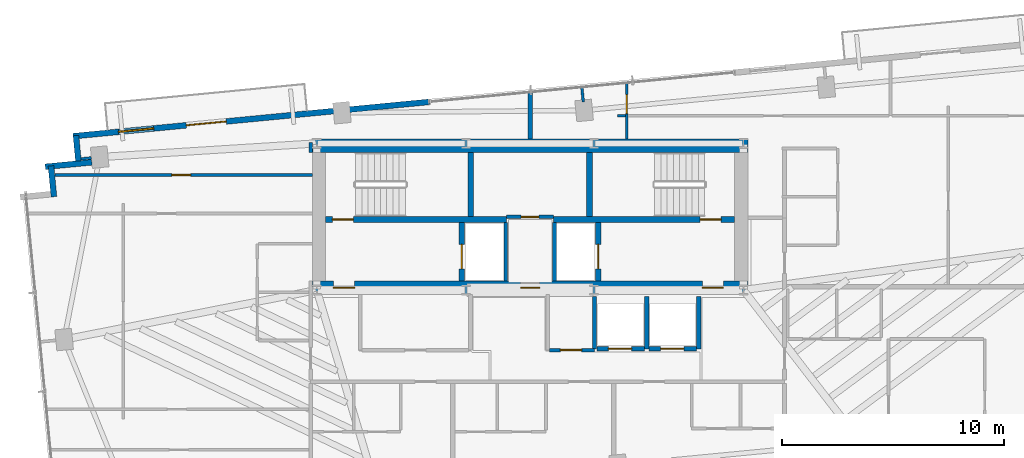
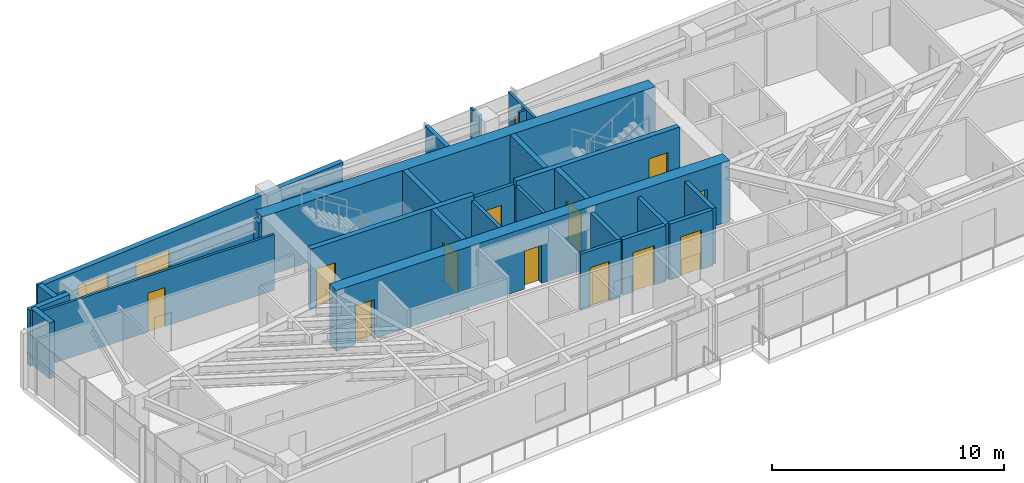
# One storey, part 14 of 18: 28 walls, 14 doors, 1 window, 15 openings.
"""IFC4 building model written with IfcOpenShell, lengths in metres."""

from ifc_helpers import new_model, si_unit, direction, frame, frame_2d, origin, place, context, subcontext, project, spatial, rectangle, extrude, source, transform, mapped, material, layer, layer_set, type_object, type_shapes, element, fill, save


model = new_model("IFC4")

# Units and contexts
model_context = context("Model", 3, precision=1e-05, world=origin(), true_north=direction((0.0, 1.0)))
body_context = subcontext(model_context, "Body", "Model", "MODEL_VIEW")
ifc_project = project(units=[si_unit("LENGTHUNIT", "METRE"), si_unit("AREAUNIT", "SQUARE_METRE"), si_unit("VOLUMEUNIT", "CUBIC_METRE"), si_unit("PLANEANGLEUNIT", "RADIAN"), si_unit("MASSUNIT", "GRAM", prefix="KILO")], contexts=[model_context])

# Site, building, storey
site_placement = place(None, origin())
site = spatial("IfcSite", under=ifc_project, at=site_placement, CompositionType="ELEMENT")
building_placement = place(site_placement, origin())
building = spatial("IfcBuilding", under=site, at=building_placement, Name="Astriad Promenade Condominiums", CompositionType="ELEMENT")
storey_placement = place(building_placement, frame((0.0, 0.0, 189.0)))
storey = spatial("IfcBuildingStorey", under=building, at=storey_placement, Name="L54", CompositionType="ELEMENT", Elevation=189.0)

# Wall, openings, doors
ifc_material_1 = material(Name="Concrete C50/60", Category="concrete")
ifc_layer_1 = layer(ifc_material_1, 0.60009765625)
ifc_layer_set_1 = layer_set([ifc_layer_1], Name="Concrete C50/60")
wall_type_1 = type_object("IfcWallType", Name="CW-SHEAR-600", PredefinedType="SHEAR", material=ifc_layer_set_1)
wall_1_placement = place(storey_placement, frame((26.199951171875, 17.5, 0.0), z_axis=(0.0, 0.0, 1.0), x_axis=(1.0, 0.0, 0.0)))
wall_1 = element("IfcWall", 1, at=wall_1_placement, inside=storey, type_object=wall_type_1, Name="CW-CORE-S-L54", PredefinedType="SHEAR", context=body_context, shape_type="SweptSolid", body=[
    extrude(rectangle(XDim=19.60009765625, YDim=0.60009765625, at=frame_2d((9.800048828125, 0.0))), origin(), (0.0, 0.0, 1.0), 3.199951171875),
])
opening_1_placement = place(wall_1_placement, frame((0.949951171875, 0.0, 0.0)))
opening_1 = element("IfcOpeningElement", 2, at=opening_1_placement, cuts=wall_1, Name="Opening FD90-ST-095", PredefinedType="OPENING", context=body_context, shape_type="SweptSolid", body=[
    extrude(rectangle(XDim=0.949951171875, YDim=2.06005859375, at=frame_2d((0.47509765625, 1.030029296875))), frame((0.0, 0.31005859375, 0.0), z_axis=(0.0, -1.0, 0.0), x_axis=(1.0, 0.0, 0.0)), (0.0, 0.0, 1.0), 0.6201171875),
])
opening_2_placement = place(wall_1_placement, frame((9.3798828125, 0.0, 0.0)))
opening_2 = element("IfcOpeningElement", 3, at=opening_2_placement, cuts=wall_1, Name="Opening FD60-ULOW-085", PredefinedType="OPENING", context=body_context, shape_type="SweptSolid", body=[
    extrude(rectangle(XDim=0.85009765625, YDim=2.0, at=frame_2d((0.425048828125, 1.0))), frame((0.0, 0.31005859375, 0.0), z_axis=(0.0, -1.0, 0.0), x_axis=(1.0, 0.0, 0.0)), (0.0, 0.0, 1.0), 0.6201171875),
])
opening_3_placement = place(wall_1_placement, frame((17.550048828125, 0.0, 0.0)))
opening_3 = element("IfcOpeningElement", 4, at=opening_3_placement, cuts=wall_1, Name="Opening FD90-ST-095", PredefinedType="OPENING", context=body_context, shape_type="SweptSolid", body=[
    extrude(rectangle(XDim=0.949951171875, YDim=2.06005859375, at=frame_2d((0.47509765625, 1.030029296875))), frame((0.0, 0.31005859375, 0.0), z_axis=(0.0, -1.0, 0.0), x_axis=(1.0, 0.0, 0.0)), (0.0, 0.0, 1.0), 0.6201171875),
])
ifc_material_2 = material(Name="Fire-Rated Hollow Metal Stair Door")
door_type_1 = type_object("IfcDoorType", Name="FD90-ST-095", OperationType="NOTDEFINED", PredefinedType="DOOR", material=ifc_material_2)
shared_shape_1 = source(origin(), body_context, "Body", "SweptSolid", [
    extrude(rectangle(XDim=0.949951171875, YDim=2.06005859375, at=frame_2d((0.47509765625, 1.030029296875))), frame((0.0, 0.02490234375, 0.0), z_axis=(0.0, -1.0, 0.0), x_axis=(1.0, 0.0, 0.0)), (0.0, 0.0, 1.0), 0.050048828125),
])
type_shapes(door_type_1, [shared_shape_1])
door_1_placement = place(opening_1_placement, origin())
door_1 = element("IfcDoor", 5, at=door_1_placement, inside=storey, type_object=door_type_1, Name="D-FFW-L54", OperationType="SINGLE_SWING_LEFT", OverallHeight=2.06005859375, OverallWidth=0.949951171875, PredefinedType="DOOR", context=body_context, shape_type="MappedRepresentation", body=[
    mapped(shared_shape_1, transform((0.0, 0.0, 0.0), scale=1.0)),
])
fill(opening_1, door_1)
door_2_placement = place(opening_3_placement, origin())
door_2 = element("IfcDoor", 6, at=door_2_placement, inside=storey, type_object=door_type_1, Name="D-FFE-L54", OperationType="SINGLE_SWING_RIGHT", OverallHeight=2.06005859375, OverallWidth=0.949951171875, PredefinedType="DOOR", context=body_context, shape_type="MappedRepresentation", body=[
    mapped(shared_shape_1, transform((0.0, 0.0, 0.0), scale=1.0)),
])
fill(opening_3, door_2)
ifc_material_3 = material(Name="Solid-Core Low-Headroom Fire Door")
door_type_2 = type_object("IfcDoorType", Name="FD60-ULOW-085", OperationType="NOTDEFINED", PredefinedType="DOOR", material=ifc_material_3)
shared_shape_2 = source(origin(), body_context, "Body", "SweptSolid", [
    extrude(rectangle(XDim=0.85009765625, YDim=2.0, at=frame_2d((0.425048828125, 1.0))), frame((0.0, 0.02490234375, 0.0), z_axis=(0.0, -1.0, 0.0), x_axis=(1.0, 0.0, 0.0)), (0.0, 0.0, 1.0), 0.050048828125),
])
type_shapes(door_type_2, [shared_shape_2])
door_3_placement = place(opening_2_placement, origin())
door_3 = element("IfcDoor", 7, at=door_3_placement, inside=storey, type_object=door_type_2, Name="D-CSL-L54", OperationType="SINGLE_SWING_RIGHT", OverallHeight=2.0, OverallWidth=0.85009765625, PredefinedType="DOOR", context=body_context, shape_type="MappedRepresentation", body=[
    mapped(shared_shape_2, transform((0.0, 0.0, 0.0), scale=1.0)),
])
fill(opening_2, door_3)

# Wall
wall_2_placement = place(storey_placement, frame((26.199951171875, 23.89990234375, 0.0), z_axis=(0.0, 0.0, 1.0), x_axis=(1.0, 0.0, 0.0)))
element("IfcWall", 8, at=wall_2_placement, inside=storey, type_object=wall_type_1, Name="CW-CORE-N-L54", PredefinedType="SHEAR", context=body_context, shape_type="SweptSolid", body=[
    extrude(rectangle(XDim=19.60009765625, YDim=0.60009765625, at=frame_2d((9.800048828125, 0.0))), origin(), (0.0, 0.0, 1.0), 3.199951171875),
])

# Wall, opening, door
ifc_layer_2 = layer(ifc_material_1, 0.25)
ifc_layer_set_2 = layer_set([ifc_layer_2], Name="Concrete C50/60")
wall_type_2 = type_object("IfcWallType", Name="WALL-CORE-INT-250", PredefinedType="SOLIDWALL", material=ifc_layer_set_2)
wall_3_placement = place(storey_placement, frame((26.802001953125, 20.574951171875, 0.0), z_axis=(0.0, 0.0, 1.0), x_axis=(1.0, 0.0, 0.0)))
wall_3 = element("IfcWall", 9, at=wall_3_placement, inside=storey, type_object=wall_type_2, Name="CW-INT-H1-L54", PredefinedType="SOLIDWALL", context=body_context, shape_type="SweptSolid", body=[
    extrude(rectangle(XDim=8.14794921875, YDim=0.25, at=frame_2d((4.073974609375, 0.0))), origin(), (0.0, 0.0, 1.0), 3.199951171875),
])
opening_4_placement = place(wall_3_placement, frame((0.298095703125, 0.0, 0.0)))
opening_4 = element("IfcOpeningElement", 10, at=opening_4_placement, cuts=wall_3, Name="Opening FD90-ST-095", PredefinedType="OPENING", context=body_context, shape_type="SweptSolid", body=[
    extrude(rectangle(XDim=0.949951171875, YDim=2.06005859375, at=frame_2d((0.47509765625, 1.030029296875))), frame((0.0, 0.135009765625, 0.0), z_axis=(0.0, -1.0, 0.0), x_axis=(1.0, 0.0, 0.0)), (0.0, 0.0, 1.0), 0.27001953125),
])
door_4_placement = place(opening_4_placement, origin())
door_4 = element("IfcDoor", 11, at=door_4_placement, inside=storey, type_object=door_type_1, Name="D-ST1-L54", OperationType="SINGLE_SWING_LEFT", OverallHeight=2.06005859375, OverallWidth=0.949951171875, PredefinedType="DOOR", context=body_context, shape_type="MappedRepresentation", body=[
    mapped(shared_shape_1, transform((0.0, 0.0, 0.0), scale=1.0)),
])
fill(opening_4, door_4)

wall_4_placement = place(storey_placement, frame((37.050048828125, 20.574951171875, 0.0), z_axis=(0.0, 0.0, 1.0), x_axis=(1.0, 0.0, 0.0)))
wall_4 = element("IfcWall", 12, at=wall_4_placement, inside=storey, type_object=wall_type_2, Name="CW-INT-H2-L54", PredefinedType="SOLIDWALL", context=body_context, shape_type="SweptSolid", body=[
    extrude(rectangle(XDim=8.14794921875, YDim=0.25, at=frame_2d((4.073974609375, 0.0))), origin(), (0.0, 0.0, 1.0), 3.199951171875),
])
opening_5_placement = place(wall_4_placement, frame((6.60009765625, 0.0, 0.0)))
opening_5 = element("IfcOpeningElement", 13, at=opening_5_placement, cuts=wall_4, Name="Opening FD90-ST-095", PredefinedType="OPENING", context=body_context, shape_type="SweptSolid", body=[
    extrude(rectangle(XDim=0.949951171875, YDim=2.06005859375, at=frame_2d((0.47509765625, 1.030029296875))), frame((0.0, 0.135009765625, 0.0), z_axis=(0.0, -1.0, 0.0), x_axis=(1.0, 0.0, 0.0)), (0.0, 0.0, 1.0), 0.27001953125),
])
door_5_placement = place(opening_5_placement, origin())
door_5 = element("IfcDoor", 14, at=door_5_placement, inside=storey, type_object=door_type_1, Name="D-ST2-L54", OperationType="SINGLE_SWING_RIGHT", OverallHeight=2.06005859375, OverallWidth=0.949951171875, PredefinedType="DOOR", context=body_context, shape_type="MappedRepresentation", body=[
    mapped(shared_shape_1, transform((0.0, 0.0, 0.0), scale=1.0)),
])
fill(opening_5, door_5)

# Walls
for number, where, z_axis, x_axis, name in (
    (15, (33.324951171875, 20.701904296875, 0.0), (0.0, 0.0, 1.0), (0.0, 1.0, 0.0), "CW-ST1-E-L54"),
    (16, (38.675048828125, 20.701904296875, 0.0), (0.0, 0.0, 1.0), (0.0, 1.0, 0.0), "CW-ST2-W-L54"),
):
    element("IfcWall", number, at=place(storey_placement, frame(where, z_axis=z_axis, x_axis=x_axis)), inside=storey, type_object=wall_type_2, Name=name, PredefinedType="SOLIDWALL", context=body_context, shape_type="SweptSolid", body=[
        extrude(rectangle(XDim=2.89599609375, YDim=0.25, at=frame_2d((1.447998046875, 0.0))), origin(), (0.0, 0.0, 1.0), 3.199951171875),
    ])

# Wall, opening, door
wall_5_placement = place(storey_placement, frame((32.925048828125, 17.802001953125, 0.0), z_axis=(0.0, 0.0, 1.0), x_axis=(0.0, 1.0, 0.0)))
wall_5 = element("IfcWall", 17, at=wall_5_placement, inside=storey, type_object=wall_type_2, Name="CW-FFL1-W-L54", PredefinedType="SOLIDWALL", context=body_context, shape_type="SweptSolid", body=[
    extrude(rectangle(XDim=2.64599609375, YDim=0.25, at=frame_2d((1.322998046875, 0.0))), origin(), (0.0, 0.0, 1.0), 3.199951171875),
])
opening_6_placement = place(wall_5_placement, frame((0.548095703125, 0.0, 0.0)))
opening_6 = element("IfcOpeningElement", 18, at=opening_6_placement, cuts=wall_5, Name="Opening LD-FFL-1122", PredefinedType="OPENING", context=body_context, shape_type="SweptSolid", body=[
    extrude(rectangle(XDim=1.10009765625, YDim=2.080078125, at=frame_2d((0.550048828125, 1.0400390625))), frame((0.0, 0.135009765625, 0.0), z_axis=(0.0, -1.0, 0.0), x_axis=(1.0, 0.0, 0.0)), (0.0, 0.0, 1.0), 0.27001953125),
])
ifc_material_4 = material(Name="Brushed Stainless Steel Fire Elevator Landing Door", Category="steel")
door_type_3 = type_object("IfcDoorType", Name="LD-FFL-1122", OperationType="NOTDEFINED", PredefinedType="DOOR", material=ifc_material_4)
shared_shape_3 = source(origin(), body_context, "Body", "SweptSolid", [
    extrude(rectangle(XDim=1.10009765625, YDim=2.080078125, at=frame_2d((0.550048828125, 1.0400390625))), frame((0.0, 0.02490234375, 0.0), z_axis=(0.0, -1.0, 0.0), x_axis=(1.0, 0.0, 0.0)), (0.0, 0.0, 1.0), 0.050048828125),
])
type_shapes(door_type_3, [shared_shape_3])
door_6_placement = place(opening_6_placement, origin())
door_6 = element("IfcDoor", 19, at=door_6_placement, inside=storey, type_object=door_type_3, Name="Elevator Landing Door FFL-1 (L54)", OperationType="SLIDING_TO_LEFT", OverallHeight=2.080078125, OverallWidth=1.10009765625, PredefinedType="DOOR", context=body_context, shape_type="MappedRepresentation", body=[
    mapped(shared_shape_3, transform((0.0, 0.0, 0.0), scale=1.0)),
])
fill(opening_6, door_6)

wall_6_placement = place(storey_placement, frame((39.074951171875, 17.802001953125, 0.0), z_axis=(0.0, 0.0, 1.0), x_axis=(0.0, 1.0, 0.0)))
wall_6 = element("IfcWall", 20, at=wall_6_placement, inside=storey, type_object=wall_type_2, Name="CW-FFL2-E-L54", PredefinedType="SOLIDWALL", context=body_context, shape_type="SweptSolid", body=[
    extrude(rectangle(XDim=2.64599609375, YDim=0.25, at=frame_2d((1.322998046875, 0.0))), origin(), (0.0, 0.0, 1.0), 3.199951171875),
])
opening_7_placement = place(wall_6_placement, frame((0.548095703125, 0.0, 0.0)))
opening_7 = element("IfcOpeningElement", 21, at=opening_7_placement, cuts=wall_6, Name="Opening LD-FFL-1122", PredefinedType="OPENING", context=body_context, shape_type="SweptSolid", body=[
    extrude(rectangle(XDim=1.10009765625, YDim=2.080078125, at=frame_2d((0.550048828125, 1.0400390625))), frame((0.0, 0.135009765625, 0.0), z_axis=(0.0, -1.0, 0.0), x_axis=(1.0, 0.0, 0.0)), (0.0, 0.0, 1.0), 0.27001953125),
])
door_7_placement = place(opening_7_placement, origin())
door_7 = element("IfcDoor", 22, at=door_7_placement, inside=storey, type_object=door_type_3, Name="Elevator Landing Door FFL-2 (L54)", OperationType="SLIDING_TO_RIGHT", OverallHeight=2.080078125, OverallWidth=1.10009765625, PredefinedType="DOOR", context=body_context, shape_type="MappedRepresentation", body=[
    mapped(shared_shape_3, transform((0.0, 0.0, 0.0), scale=1.0)),
])
fill(opening_7, door_7)

# Walls
ifc_material_5 = material(Name="Fire-Rated Gypsum Partition")
ifc_layer_3 = layer(ifc_material_5, 0.159912109375)
ifc_layer_set_3 = layer_set([ifc_layer_3], Name="Fire-Rated Gypsum Partition")
wall_type_3 = type_object("IfcWallType", Name="WALL-CORR-160", PredefinedType="PARTITIONING", material=ifc_layer_set_3)
for number, where, z_axis, x_axis, name in (
    (23, (34.89990234375, 17.802001953125, 0.0), (0.0, 0.0, 1.0), (0.0, 1.0, 0.0), "CW-FFL1-E-L54"),
    (24, (37.10009765625, 17.802001953125, 0.0), (0.0, 0.0, 1.0), (0.0, 1.0, 0.0), "CW-FFL2-W-L54"),
):
    element("IfcWall", number, at=place(storey_placement, frame(where, z_axis=z_axis, x_axis=x_axis)), inside=storey, type_object=wall_type_3, Name=name, PredefinedType="PARTITIONING", context=body_context, shape_type="SweptSolid", body=[
        extrude(rectangle(XDim=2.64599609375, YDim=0.159912109375, at=frame_2d((1.322998046875, 0.0))), origin(), (0.0, 0.0, 1.0), 2.93994140625),
    ])

# Wall, opening, door
wall_7_placement = place(storey_placement, frame((34.949951171875, 20.68994140625, 0.0), z_axis=(0.0, 0.0, 1.0), x_axis=(1.0, 0.0, 0.0)))
wall_7 = element("IfcWall", 25, at=wall_7_placement, inside=storey, type_object=wall_type_3, Name="CW-AUX-S-L54", PredefinedType="PARTITIONING", context=body_context, shape_type="SweptSolid", body=[
    extrude(rectangle(XDim=2.10009765625, YDim=0.159912109375, at=frame_2d((1.050048828125, 0.0))), origin(), (0.0, 0.0, 1.0), 2.93994140625),
])
opening_8_placement = place(wall_7_placement, frame((0.64990234375, 0.0, 0.0)))
opening_8 = element("IfcOpeningElement", 26, at=opening_8_placement, cuts=wall_7, Name="Opening FD60-SV-080", PredefinedType="OPENING", context=body_context, shape_type="SweptSolid", body=[
    extrude(rectangle(XDim=0.800048828125, YDim=2.050048828125, at=frame_2d((0.39990234375, 1.02490234375))), frame((0.0, 0.08984375, 0.0), z_axis=(0.0, -1.0, 0.0), x_axis=(1.0, 0.0, 0.0)), (0.0, 0.0, 1.0), 0.179931640625),
])
ifc_material_6 = material(Name="Fire-Rated Riser Closet Door")
door_type_4 = type_object("IfcDoorType", Name="FD60-SV-080", OperationType="NOTDEFINED", PredefinedType="DOOR", material=ifc_material_6)
shared_shape_4 = source(origin(), body_context, "Body", "SweptSolid", [
    extrude(rectangle(XDim=0.800048828125, YDim=2.050048828125, at=frame_2d((0.39990234375, 1.02490234375))), frame((0.0, 0.02490234375, 0.0), z_axis=(0.0, -1.0, 0.0), x_axis=(1.0, 0.0, 0.0)), (0.0, 0.0, 1.0), 0.050048828125),
])
type_shapes(door_type_4, [shared_shape_4])
door_8_placement = place(opening_8_placement, origin())
door_8 = element("IfcDoor", 27, at=door_8_placement, inside=storey, type_object=door_type_4, Name="D-AUX1-L54", OperationType="SINGLE_SWING_LEFT", OverallHeight=2.050048828125, OverallWidth=0.800048828125, PredefinedType="DOOR", context=body_context, shape_type="MappedRepresentation", body=[
    mapped(shared_shape_4, transform((0.0, 0.0, 0.0), scale=1.0)),
])
fill(opening_8, door_8)

# Wall
wall_8_placement = place(storey_placement, frame((26.1201171875, 23.597900390625, 0.0), z_axis=(0.0, 0.0, 1.0), x_axis=(0.0, 1.0, 0.0)))
element("IfcWall", 28, at=wall_8_placement, inside=storey, type_object=wall_type_3, Name="PT-COR-W-L54-S3", PredefinedType="PARTITIONING", context=body_context, shape_type="SweptSolid", body=[
    extrude(rectangle(XDim=0.4521484375, YDim=0.159912109375, at=frame_2d((0.22607421875, 0.0))), origin(), (0.0, 0.0, 1.0), 2.93994140625),
])

# Wall, opening, door
wall_9_placement = place(storey_placement, frame((36.882080078125, 14.699951171875, 0.0), z_axis=(0.0, 0.0, 1.0), x_axis=(1.0, 0.0, 0.0)))
wall_9 = element("IfcWall", 29, at=wall_9_placement, inside=storey, type_object=wall_type_3, Name="PT-Z3R2-S-L54", PredefinedType="PARTITIONING", context=body_context, shape_type="SweptSolid", body=[
    extrude(rectangle(XDim=2.017822265625, YDim=0.159912109375, at=frame_2d((1.0087890625, 0.0))), origin(), (0.0, 0.0, 1.0), 2.93994140625),
])
opening_9_placement = place(wall_9_placement, frame((0.48291015625, 0.0, 0.0)))
opening_9 = element("IfcOpeningElement", 30, at=opening_9_placement, cuts=wall_9, Name="Opening FD60-APT-095", PredefinedType="OPENING", context=body_context, shape_type="SweptSolid", body=[
    extrude(rectangle(XDim=0.949951171875, YDim=2.06005859375, at=frame_2d((0.47509765625, 1.030029296875))), frame((0.0, 0.08984375, 0.0), z_axis=(0.0, -1.0, 0.0), x_axis=(1.0, 0.0, 0.0)), (0.0, 0.0, 1.0), 0.179931640625),
])
ifc_material_7 = material(Name="Solid-Core Acoustic Timber Residence Entry Door", Category="wood")
door_type_5 = type_object("IfcDoorType", Name="FD60-APT-095", OperationType="NOTDEFINED", PredefinedType="DOOR", material=ifc_material_7)
shared_shape_5 = source(origin(), body_context, "Body", "SweptSolid", [
    extrude(rectangle(XDim=0.949951171875, YDim=2.06005859375, at=frame_2d((0.47509765625, 1.030029296875))), frame((0.0, 0.02490234375, 0.0), z_axis=(0.0, -1.0, 0.0), x_axis=(1.0, 0.0, 0.0)), (0.0, 0.0, 1.0), 0.050048828125),
])
type_shapes(door_type_5, [shared_shape_5])
door_9_placement = place(opening_9_placement, origin())
door_9 = element("IfcDoor", 31, at=door_9_placement, inside=storey, type_object=door_type_5, Name="D-Z3N-L54", OperationType="SINGLE_SWING_LEFT", OverallHeight=2.06005859375, OverallWidth=0.949951171875, PredefinedType="DOOR", context=body_context, shape_type="MappedRepresentation", body=[
    mapped(shared_shape_5, transform((0.0, 0.0, 0.0), scale=1.0)),
])
fill(opening_9, door_9)

# Walls
ifc_material_8 = material(Name="Acoustic Double-Stud Gypsum Partition")
ifc_layer_4 = layer(ifc_material_8, 0.199951171875)
ifc_layer_set_4 = layer_set([ifc_layer_4], Name="Acoustic Double-Stud Gypsum Partition")
wall_type_4 = type_object("IfcWallType", Name="WALL-DEMISING-200", PredefinedType="PARTITIONING", material=ifc_layer_set_4)
wall_10_placement = place(storey_placement, frame((36.0, 24.201904296875, 0.0), z_axis=(0.0, 0.0, 1.0), x_axis=(0.0, 1.0, 0.0)))
element("IfcWall", 32, at=wall_10_placement, inside=storey, type_object=wall_type_4, Name="PT-NC-MID-L54", PredefinedType="PARTITIONING", context=body_context, shape_type="SweptSolid", body=[
    extrude(rectangle(XDim=2.152099609375, YDim=0.199951171875, at=frame_2d((1.076171875, 0.0))), origin(), (0.0, 0.0, 1.0), 2.93994140625),
])
ifc_material_9 = material(Name="Precast concrete C50/60", Category="concrete")
ifc_layer_5 = layer(ifc_material_9, 0.260009765625)
ifc_layer_set_5 = layer_set([ifc_layer_5], Name="Precast concrete C50/60")
wall_type_5 = type_object("IfcWallType", Name="WALL-EXT-TWR-260", PredefinedType="STANDARD", material=ifc_layer_set_5)
wall_11_placement = place(storey_placement, frame((14.57373046875, 21.5986328125, 0.0), z_axis=(0.0, 0.0, 1.0), x_axis=(-0.095742423056, 0.99540614245, 0.0)))
element("IfcWall", 33, at=wall_11_placement, inside=storey, type_object=wall_type_5, Name="W-SER-L54-05", PredefinedType="STANDARD", context=body_context, shape_type="SweptSolid", body=[
    extrude(rectangle(XDim=1.394775390625, YDim=0.260009765625, at=frame_2d((0.697265625, 0.0))), origin(), (0.0, 0.0, 1.0), 2.93994140625),
])
wall_12_placement = place(storey_placement, frame((14.182861328125, 22.947265625, 0.0), z_axis=(0.0, 0.0, 1.0), x_axis=(0.995401580483, 0.095789840651, 0.0)))
element("IfcWall", 34, at=wall_12_placement, inside=storey, type_object=wall_type_5, Name="W-SER-L54-06", PredefinedType="STANDARD", context=body_context, shape_type="SweptSolid", body=[
    extrude(rectangle(XDim=2.102783203125, YDim=0.260009765625, at=frame_2d((1.05126953125, 0.0))), origin(), (0.0, 0.0, 1.0), 2.93994140625),
])
wall_13_placement = place(storey_placement, frame((15.6748046875, 23.20654296875, 0.0), z_axis=(0.0, 0.0, 1.0), x_axis=(-0.095951054827, 0.995386053287, 0.0)))
element("IfcWall", 35, at=wall_13_placement, inside=storey, type_object=wall_type_5, Name="W-SER-L54-07", PredefinedType="STANDARD", context=body_context, shape_type="SweptSolid", body=[
    extrude(rectangle(XDim=1.150146484375, YDim=0.260009765625, at=frame_2d((0.5751953125, 0.0))), origin(), (0.0, 0.0, 1.0), 2.93994140625),
])

# Wall, openings, door, window
wall_14_placement = place(storey_placement, frame((15.4365234375, 24.32373046875, 0.0), z_axis=(0.0, 0.0, 1.0), x_axis=(0.995395627913, 0.095851676732, 0.0)))
wall_14 = element("IfcWall", 36, at=wall_14_placement, inside=storey, type_object=wall_type_5, Name="W-EXT-L54-N1", PredefinedType="STANDARD", context=body_context, shape_type="SweptSolid", body=[
    extrude(rectangle(XDim=16.10009765625, YDim=0.260009765625, at=frame_2d((8.050048828125, 0.0))), origin(), (0.0, 0.0, 1.0), 2.93994140625),
])
opening_10_placement = place(wall_14_placement, frame((5.1201171875, 0.0, 0.0)))
opening_10 = element("IfcOpeningElement", 37, at=opening_10_placement, cuts=wall_14, Name="Opening BD-1822-SLD", PredefinedType="OPENING", context=body_context, shape_type="SweptSolid", body=[
    extrude(rectangle(XDim=1.800048828125, YDim=2.06005859375, at=frame_2d((0.89990234375, 1.030029296875))), frame((0.0, 0.139892578125, 0.0), z_axis=(0.0, -1.0, 0.0), x_axis=(1.0, 0.0, 0.0)), (0.0, 0.0, 1.0), 0.280029296875),
])
opening_11_placement = place(wall_14_placement, frame((2.050048828125, 0.0, 0.64990234375)))
opening_11 = element("IfcOpeningElement", 38, at=opening_11_placement, cuts=wall_14, Name="Opening WIN-TWR-1620", PredefinedType="OPENING", context=body_context, shape_type="SweptSolid", body=[
    extrude(rectangle(XDim=1.60009765625, YDim=1.5, at=frame_2d((0.800048828125, 0.75))), frame((0.0, 0.139892578125, 0.0), z_axis=(0.0, -1.0, 0.0), x_axis=(1.0, 0.0, 0.0)), (0.0, 0.0, 1.0), 0.280029296875),
])
ifc_material_10 = material(Name="Thermally Broken Aluminium Sliding Balcony Door", Category="aluminium")
door_type_6 = type_object("IfcDoorType", Name="BD-1822-SLD", OperationType="NOTDEFINED", PredefinedType="DOOR", material=ifc_material_10)
shared_shape_6 = source(origin(), body_context, "Body", "SweptSolid", [
    extrude(rectangle(XDim=1.800048828125, YDim=2.06005859375, at=frame_2d((0.89990234375, 1.030029296875))), frame((0.0, 0.02490234375, 0.0), z_axis=(0.0, -1.0, 0.0), x_axis=(1.0, 0.0, 0.0)), (0.0, 0.0, 1.0), 0.050048828125),
])
type_shapes(door_type_6, [shared_shape_6])
door_10_placement = place(opening_10_placement, origin())
door_10 = element("IfcDoor", 39, at=door_10_placement, inside=storey, type_object=door_type_6, Name="BD-L54-NW", OperationType="SLIDING_TO_LEFT", OverallHeight=2.06005859375, OverallWidth=1.800048828125, PredefinedType="DOOR", context=body_context, shape_type="MappedRepresentation", body=[
    mapped(shared_shape_6, transform((0.0, 0.0, 0.0), scale=1.0)),
])
fill(opening_10, door_10)
ifc_material_11 = material(Name="Dark Tinted Triple-Glazed Aluminium Window", Category="aluminium")
window_type = type_object("IfcWindowType", Name="WIN-TWR-1620", PartitioningType="SINGLE_PANEL", PredefinedType="WINDOW", material=ifc_material_11)
shared_shape_7 = source(origin(), body_context, "Body", "SweptSolid", [
    extrude(rectangle(XDim=1.60009765625, YDim=1.5, at=frame_2d((0.800048828125, 0.75))), frame((0.0, 0.030029296875, 0.0), z_axis=(0.0, -1.0, 0.0), x_axis=(1.0, 0.0, 0.0)), (0.0, 0.0, 1.0), 0.06005859375),
])
type_shapes(window_type, [shared_shape_7])
window_placement = place(opening_11_placement, origin())
window = element("IfcWindow", 40, at=window_placement, inside=storey, type_object=window_type, Name="WIN-L54-NW", OverallHeight=1.5, OverallWidth=1.60009765625, PartitioningType="SINGLE_PANEL", PredefinedType="WINDOW", context=body_context, shape_type="MappedRepresentation", body=[
    mapped(shared_shape_7, transform((0.0, 0.0, 0.0), scale=1.0)),
])
fill(opening_11, window)

# Wall, opening, door
ifc_material_12 = material(Name="Acoustic Metal-Stud Gypsum Partition")
ifc_layer_6 = layer(ifc_material_12, 0.1201171875)
ifc_layer_set_6 = layer_set([ifc_layer_6], Name="Acoustic Metal-Stud Gypsum Partition")
wall_type_6 = type_object("IfcWallType", Name="WALL-PART-120", PredefinedType="PARTITIONING", material=ifc_layer_set_6)
wall_15_placement = place(storey_placement, frame((14.612060546875, 22.577880859375, 0.0), z_axis=(0.0, 0.0, 1.0), x_axis=(1.0, 0.0, 0.0)))
wall_15 = element("IfcWall", 41, at=wall_15_placement, inside=storey, type_object=wall_type_6, Name="PT-L54-W1-WDN2", PredefinedType="PARTITIONING", context=body_context, shape_type="SweptSolid", body=[
    extrude(rectangle(XDim=11.5859375, YDim=0.1201171875, at=frame_2d((5.79296875, 0.0))), origin(), (0.0, 0.0, 1.0), 2.93994140625),
])
opening_12_placement = place(wall_15_placement, frame((5.265869140625, 0.0, 0.0)))
opening_12 = element("IfcOpeningElement", 42, at=opening_12_placement, cuts=wall_15, Name="Opening D-INT-085", PredefinedType="OPENING", context=body_context, shape_type="SweptSolid", body=[
    extrude(rectangle(XDim=0.85009765625, YDim=2.050048828125, at=frame_2d((0.425048828125, 1.02490234375))), frame((0.0, 0.070068359375, 0.0), z_axis=(0.0, -1.0, 0.0), x_axis=(1.0, 0.0, 0.0)), (0.0, 0.0, 1.0), 0.14013671875),
])
ifc_material_13 = material(Name="Painted Solid-Core Timber Room Door", Category="wood")
door_type_7 = type_object("IfcDoorType", Name="D-INT-085", OperationType="NOTDEFINED", PredefinedType="DOOR", material=ifc_material_13)
shared_shape_8 = source(origin(), body_context, "Body", "SweptSolid", [
    extrude(rectangle(XDim=0.85009765625, YDim=2.050048828125, at=frame_2d((0.425048828125, 1.02490234375))), frame((0.0, 0.02490234375, 0.0), z_axis=(0.0, -1.0, 0.0), x_axis=(1.0, 0.0, 0.0)), (0.0, 0.0, 1.0), 0.050048828125),
])
type_shapes(door_type_7, [shared_shape_8])
door_11_placement = place(opening_12_placement, origin())
door_11 = element("IfcDoor", 43, at=door_11_placement, inside=storey, type_object=door_type_7, Name="D-WDN2-L54-W1", OperationType="SINGLE_SWING_LEFT", OverallHeight=2.050048828125, OverallWidth=0.85009765625, PredefinedType="DOOR", context=body_context, shape_type="MappedRepresentation", body=[
    mapped(shared_shape_8, transform((0.0, 0.0, 0.0), scale=1.0)),
])
fill(opening_12, door_11)

wall_16_placement = place(storey_placement, frame((40.35009765625, 24.201904296875, 0.0), z_axis=(0.0, 0.0, 1.0), x_axis=(0.0, 1.0, 0.0)))
wall_16 = element("IfcWall", 44, at=wall_16_placement, inside=storey, type_object=wall_type_6, Name="PT-L54-E2-NC", PredefinedType="PARTITIONING", context=body_context, shape_type="SweptSolid", body=[
    extrude(rectangle(XDim=2.571044921875, YDim=0.1201171875, at=frame_2d((1.28564453125, 0.0))), origin(), (0.0, 0.0, 1.0), 2.93994140625),
])
opening_13_placement = place(wall_16_placement, frame((1.139892578125, 0.0, 0.0)))
opening_13 = element("IfcOpeningElement", 45, at=opening_13_placement, cuts=wall_16, Name="Opening D-INT-085", PredefinedType="OPENING", context=body_context, shape_type="SweptSolid", body=[
    extrude(rectangle(XDim=0.85009765625, YDim=2.050048828125, at=frame_2d((0.425048828125, 1.02490234375))), frame((0.0, 0.070068359375, 0.0), z_axis=(0.0, -1.0, 0.0), x_axis=(1.0, 0.0, 0.0)), (0.0, 0.0, 1.0), 0.14013671875),
])
door_12_placement = place(opening_13_placement, origin())
door_12 = element("IfcDoor", 46, at=door_12_placement, inside=storey, type_object=door_type_7, Name="D-NC-L54-E2", OperationType="SINGLE_SWING_LEFT", OverallHeight=2.050048828125, OverallWidth=0.85009765625, PredefinedType="DOOR", context=body_context, shape_type="MappedRepresentation", body=[
    mapped(shared_shape_8, transform((0.0, 0.0, 0.0), scale=1.0)),
])
fill(opening_13, door_12)

# Walls
wall_17_placement = place(storey_placement, frame((39.929931640625, 25.2470703125, 0.0), z_axis=(0.0, 0.0, 1.0), x_axis=(1.0, 0.0, 0.0)))
element("IfcWall", 47, at=wall_17_placement, inside=storey, type_object=wall_type_6, Name="PT-L54-E2-B1", PredefinedType="PARTITIONING", context=body_context, shape_type="SweptSolid", body=[
    extrude(rectangle(XDim=0.358154296875, YDim=0.1201171875, at=frame_2d((0.17919921875, 0.0))), origin(), (0.0, 0.0, 1.0), 2.93994140625),
])
wall_18_placement = place(storey_placement, frame((16.25390625, 23.34765625, 0.0), z_axis=(0.0, 0.0, 1.0), x_axis=(-0.995389482415, -0.095915474751, 0.0)))
element("IfcWall", 48, at=wall_18_placement, inside=storey, type_object=wall_type_6, Name="PT-PIL-L54-PC06-13", PredefinedType="PARTITIONING", context=body_context, shape_type="SweptSolid", body=[
    extrude(rectangle(XDim=0.458251953125, YDim=0.1201171875, at=frame_2d((0.22900390625, 0.0))), origin(), (0.0, 0.0, 1.0), 2.93994140625),
])
wall_19_placement = place(storey_placement, frame((38.39501953125, 25.861328125, 0.0), z_axis=(0.0, 0.0, 1.0), x_axis=(-0.095977354523, 0.995383517755, 0.0)))
element("IfcWall", 49, at=wall_19_placement, inside=storey, type_object=wall_type_6, Name="PT-PIL-L54-PC08-15", PredefinedType="PARTITIONING", context=body_context, shape_type="SweptSolid", body=[
    extrude(rectangle(XDim=0.719970703125, YDim=0.1201171875, at=frame_2d((0.35986328125, 0.0))), origin(), (0.0, 0.0, 1.0), 2.93994140625),
])
ifc_material_14 = material(Name="Gypsum Shaftliner Assembly")
ifc_layer_7 = layer(ifc_material_14, 0.199951171875)
ifc_layer_set_7 = layer_set([ifc_layer_7], Name="Gypsum Shaftliner Assembly")
wall_type_7 = type_object("IfcWallType", Name="WALL-SHAFT-200", PredefinedType="PARTITIONING", material=ifc_layer_set_7)
for number, where, z_axis, x_axis, name in (
    (50, (38.89990234375, 14.75, 0.0), (0.0, 0.0, 1.0), (0.0, 1.0, 0.0), "PL-MH-DIV-L54"),
    (51, (41.25, 14.75, 0.0), (0.0, 0.0, 1.0), (0.0, 1.0, 0.0), "PL-H-DIV-L54"),
    (52, (43.60009765625, 14.75, 0.0), (0.0, 0.0, 1.0), (0.0, 1.0, 0.0), "PL-E-OUT-L54"),
):
    element("IfcWall", number, at=place(storey_placement, frame(where, z_axis=z_axis, x_axis=x_axis)), inside=storey, type_object=wall_type_7, Name=name, PredefinedType="PARTITIONING", context=body_context, shape_type="SweptSolid", body=[
        extrude(rectangle(XDim=2.35009765625, YDim=0.199951171875, at=frame_2d((1.175048828125, 0.0))), origin(), (0.0, 0.0, 1.0), 2.93994140625),
    ])

# Wall, opening, door
wall_20_placement = place(storey_placement, frame((39.001953125, 14.75, 0.0), z_axis=(0.0, 0.0, 1.0), x_axis=(1.0, 0.0, 0.0)))
wall_20 = element("IfcWall", 53, at=wall_20_placement, inside=storey, type_object=wall_type_7, Name="PL-H-FRT-L54", PredefinedType="PARTITIONING", context=body_context, shape_type="SweptSolid", body=[
    extrude(rectangle(XDim=2.14599609375, YDim=0.199951171875, at=frame_2d((1.072998046875, 0.0))), origin(), (0.0, 0.0, 1.0), 2.93994140625),
])
opening_14_placement = place(wall_20_placement, frame((0.52294921875, 0.0, 0.0)))
opening_14 = element("IfcOpeningElement", 54, at=opening_14_placement, cuts=wall_20, Name="Opening LD-PL-10522", PredefinedType="OPENING", context=body_context, shape_type="SweptSolid", body=[
    extrude(rectangle(XDim=1.050048828125, YDim=2.080078125, at=frame_2d((0.52490234375, 1.0400390625))), frame((0.0, 0.10986328125, 0.0), z_axis=(0.0, -1.0, 0.0), x_axis=(1.0, 0.0, 0.0)), (0.0, 0.0, 1.0), 0.219970703125),
])
ifc_material_15 = material(Name="Brushed Bronze Passenger Elevator Landing Door")
door_type_8 = type_object("IfcDoorType", Name="LD-PL-10522", OperationType="NOTDEFINED", PredefinedType="DOOR", material=ifc_material_15)
shared_shape_9 = source(origin(), body_context, "Body", "SweptSolid", [
    extrude(rectangle(XDim=1.050048828125, YDim=2.080078125, at=frame_2d((0.52490234375, 1.0400390625))), frame((0.0, 0.02490234375, 0.0), z_axis=(0.0, -1.0, 0.0), x_axis=(1.0, 0.0, 0.0)), (0.0, 0.0, 1.0), 0.050048828125),
])
type_shapes(door_type_8, [shared_shape_9])
door_13_placement = place(opening_14_placement, origin())
door_13 = element("IfcDoor", 55, at=door_13_placement, inside=storey, type_object=door_type_8, Name="Elevator Landing Door PL-H1 (L54)", OperationType="SLIDING_TO_LEFT", OverallHeight=2.080078125, OverallWidth=1.050048828125, PredefinedType="DOOR", context=body_context, shape_type="MappedRepresentation", body=[
    mapped(shared_shape_9, transform((0.0, 0.0, 0.0), scale=1.0)),
])
fill(opening_14, door_13)

wall_21_placement = place(storey_placement, frame((41.35205078125, 14.75, 0.0), z_axis=(0.0, 0.0, 1.0), x_axis=(1.0, 0.0, 0.0)))
wall_21 = element("IfcWall", 56, at=wall_21_placement, inside=storey, type_object=wall_type_7, Name="PL-H-FRT-L54-S2", PredefinedType="PARTITIONING", context=body_context, shape_type="SweptSolid", body=[
    extrude(rectangle(XDim=2.14599609375, YDim=0.199951171875, at=frame_2d((1.072998046875, 0.0))), origin(), (0.0, 0.0, 1.0), 2.93994140625),
])
opening_15_placement = place(wall_21_placement, frame((0.52294921875, 0.0, 0.0)))
opening_15 = element("IfcOpeningElement", 57, at=opening_15_placement, cuts=wall_21, Name="Opening LD-PL-10522", PredefinedType="OPENING", context=body_context, shape_type="SweptSolid", body=[
    extrude(rectangle(XDim=1.050048828125, YDim=2.080078125, at=frame_2d((0.52490234375, 1.0400390625))), frame((0.0, 0.10986328125, 0.0), z_axis=(0.0, -1.0, 0.0), x_axis=(1.0, 0.0, 0.0)), (0.0, 0.0, 1.0), 0.219970703125),
])
door_14_placement = place(opening_15_placement, origin())
door_14 = element("IfcDoor", 58, at=door_14_placement, inside=storey, type_object=door_type_8, Name="Elevator Landing Door PL-H2 (L54)", OperationType="SLIDING_TO_RIGHT", OverallHeight=2.080078125, OverallWidth=1.050048828125, PredefinedType="DOOR", context=body_context, shape_type="MappedRepresentation", body=[
    mapped(shared_shape_9, transform((0.0, 0.0, 0.0), scale=1.0)),
])
fill(opening_15, door_14)

save(model, "model.ifc")
